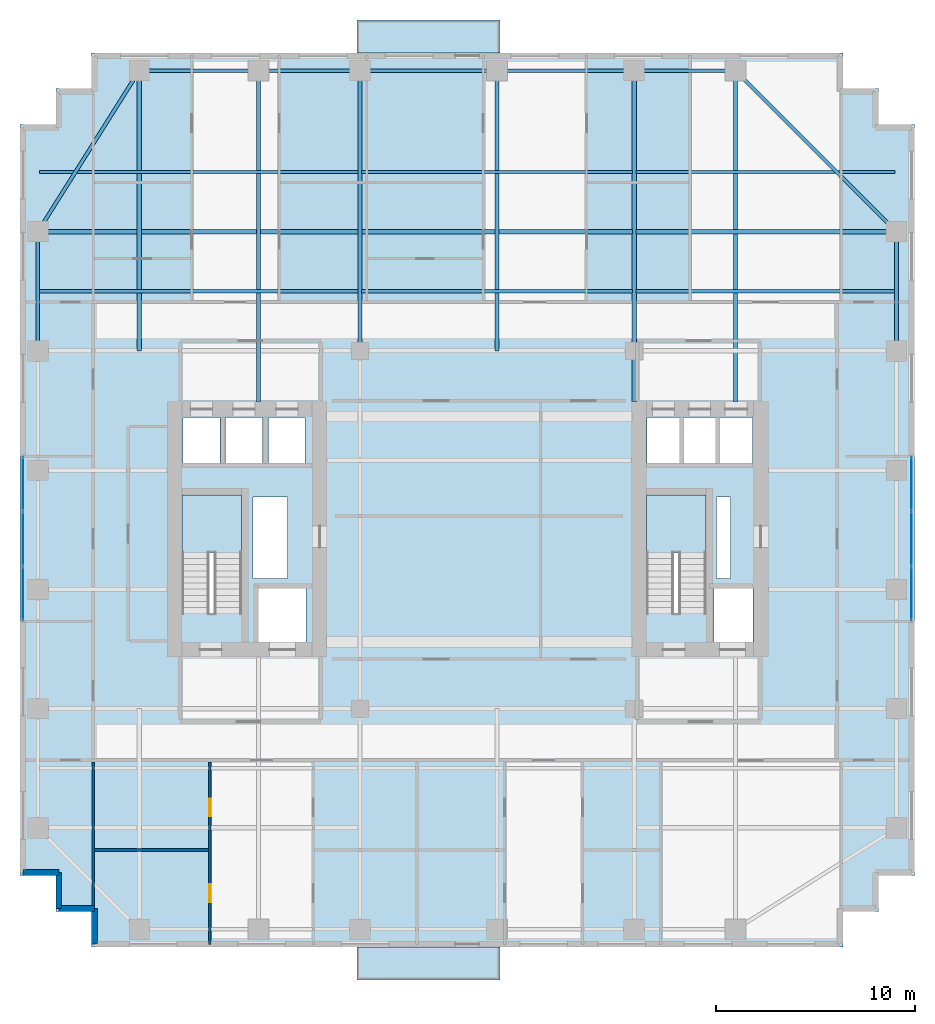
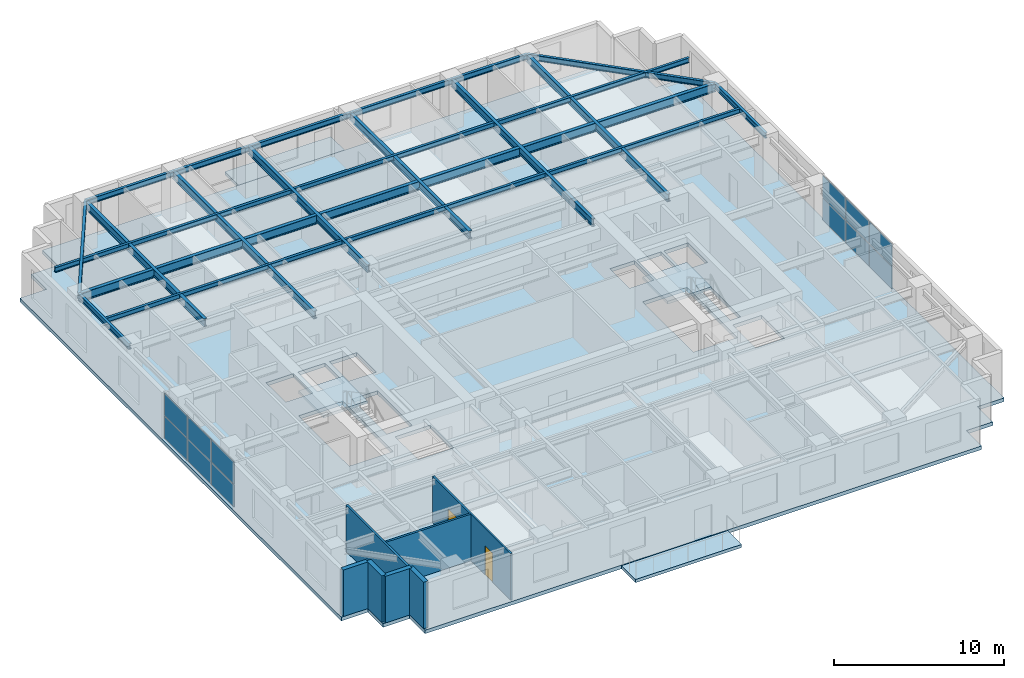
# One storey, part 7 of 16: 24 beams, 12 plates, 7 walls, 5 slabs, 2 doors, 2 openings, 4 elements without a shape of their own.
"""IFC4 building model written with IfcOpenShell, lengths in metres."""

import ifcopenshell
import ifcopenshell.guid

model = None  # the IFC model being written
_history = None  # IfcOwnerHistory: only IFC2X3 demands one
_inside = {}  # id of a spatial element -> (the spatial element, [elements in it])
_under = {}  # id of a project, library or spatial element -> (it, [spatial elements below it])
_declared = {}  # id of a project -> (the project, [libraries it declares])
_typed = {}  # id of a type object -> (the type object, [elements of that type])
_made_of = {}  # id of a material, layer set ... -> (it, [elements and type objects made of it])


def new_model(schema):
    """Start an empty IFC model of exactly this schema.

    Asked for "IFC4X3", IfcOpenShell would pick the latest addendum, in which some entities
    have other attributes; the version numbers below select the first issue.
    IFC2X3 requires an IfcOwnerHistory on every rooted entity: one is made here for all.
    """
    global model, _history
    if schema == "IFC4X3":
        model = ifcopenshell.file(schema_version=(4, 3, 0, 0))
    else:
        model = ifcopenshell.file(schema=schema)
    _inside.clear()
    _under.clear()
    _declared.clear()
    _typed.clear()
    _made_of.clear()
    _history = None
    if model.schema == "IFC2X3":
        org = make("IfcOrganization", Name="unknown")
        user = make(
            "IfcPersonAndOrganization",
            ThePerson=make("IfcPerson", FamilyName="unknown"),
            TheOrganization=org,
        )
        app = make(
            "IfcApplication",
            ApplicationDeveloper=org,
            Version="unknown",
            ApplicationFullName="unknown",
            ApplicationIdentifier="unknown",
        )
        _history = make(
            "IfcOwnerHistory",
            OwningUser=user,
            OwningApplication=app,
            ChangeAction="ADDED",
            CreationDate=0,
        )
    return model


def make(cls, **values):
    """One entity of the class cls with the attributes given. An attribute that is None is left unset."""
    return model.create_entity(
        cls, **{name: value for name, value in values.items() if value is not None}
    )


def rooted(cls, **values):
    """An entity with a GlobalId (a new one), such as an element, a storey or a relation."""
    return make(cls, GlobalId=ifcopenshell.guid.new(), OwnerHistory=_history, **values)


def si_unit(unit_type, name, prefix=None):
    """IfcSIUnit, for example si_unit("LENGTHUNIT", "METRE", prefix="MILLI")."""
    return make("IfcSIUnit", UnitType=unit_type, Prefix=prefix, Name=name)


def assignment(units):
    """IfcUnitAssignment: the units of a project."""
    return None if units is None else make("IfcUnitAssignment", Units=units)


def point(xyz):
    """IfcCartesianPoint."""
    return None if xyz is None else make("IfcCartesianPoint", Coordinates=xyz)


def direction(xyz):
    """IfcDirection."""
    return None if xyz is None else make("IfcDirection", DirectionRatios=xyz)


def frame(location, z_axis=None, x_axis=None):
    """IfcAxis2Placement3D, a coordinate frame: its origin and axes. An axis left out is left unset."""
    return make(
        "IfcAxis2Placement3D",
        Location=point(location),
        Axis=direction(z_axis),
        RefDirection=direction(x_axis),
    )


def frame_2d(location, x_axis=None):
    """IfcAxis2Placement2D, a coordinate frame in the plane: its origin and x axis."""
    return make(
        "IfcAxis2Placement2D", Location=point(location), RefDirection=direction(x_axis)
    )


def origin():
    """The frame at (0, 0, 0) with its axes left unset."""
    return frame((0.0, 0.0, 0.0))


def origin_2d():
    """The frame at (0, 0) in the plane with its x axis left unset."""
    return frame_2d((0.0, 0.0))


def place(relative_to, where):
    """IfcLocalPlacement: puts the frame where relative to a parent placement (None: the world)."""
    return make(
        "IfcLocalPlacement", PlacementRelTo=relative_to, RelativePlacement=where
    )


def context(
    kind, dimensions, precision=None, world=None, true_north=None, identifier=None
):
    """IfcGeometricRepresentationContext, for example the 3D "Model" context."""
    return make(
        "IfcGeometricRepresentationContext",
        ContextIdentifier=identifier,
        ContextType=kind,
        CoordinateSpaceDimension=dimensions,
        Precision=precision,
        WorldCoordinateSystem=world,
        TrueNorth=true_north,
    )


def subcontext(parent, identifier, kind, view, scale=None):
    """IfcGeometricRepresentationSubContext, for example "Body" below "Model"."""
    return make(
        "IfcGeometricRepresentationSubContext",
        ContextIdentifier=identifier,
        ContextType=kind,
        ParentContext=parent,
        TargetScale=scale,
        TargetView=view,
    )


def project(units=None, contexts=None):
    """IfcProject with its units and contexts."""
    return rooted(
        "IfcProject",
        Name="project",
        RepresentationContexts=contexts,
        UnitsInContext=assignment(units),
    )


def spatial(cls, under=None, at=None, **own):
    """A site, building, storey or space (cls), placed at a placement, below another one or the project."""
    s = rooted(cls, ObjectPlacement=at, **own)
    if under is not None:
        _under.setdefault(under.id(), (under, []))[1].append(s)
    return s


def polyline(points):
    """IfcPolyline through the points."""
    return make("IfcPolyline", Points=[point(p) for p in points])


def profile(cls, at=None, kind="AREA", **sizes):
    """A parametric profile (cls). Its sizes go by their IFC names, for example OverallWidth=200.0."""
    return make(cls, ProfileType=kind, Position=at, **sizes)


def rectangle(**sizes):
    """IfcRectangleProfileDef."""
    return profile("IfcRectangleProfileDef", **sizes)


def i_section(**sizes):
    """IfcIShapeProfileDef."""
    return profile("IfcIShapeProfileDef", **sizes)


def outline(outer, holes=None, kind="AREA"):
    """IfcArbitraryClosedProfileDef: a profile drawn as a closed curve; with holes, ...WithVoids."""
    if holes is None:
        return make("IfcArbitraryClosedProfileDef", ProfileType=kind, OuterCurve=outer)
    return make(
        "IfcArbitraryProfileDefWithVoids",
        ProfileType=kind,
        OuterCurve=outer,
        InnerCurves=holes,
    )


def extrude(swept, where, along, depth):
    """IfcExtrudedAreaSolid: the profile swept, set in the frame where, extruded along a direction by depth."""
    return make(
        "IfcExtrudedAreaSolid",
        SweptArea=swept,
        Position=where,
        ExtrudedDirection=direction(along),
        Depth=depth,
    )


def shape(context_of_items, identifier, shape_type, items):
    """IfcShapeRepresentation: the items that make up one representation, for example the "Body"."""
    return make(
        "IfcShapeRepresentation",
        ContextOfItems=context_of_items,
        RepresentationIdentifier=identifier,
        RepresentationType=shape_type,
        Items=items,
    )


def source(mapping_origin, context_of_items, identifier, shape_type, items):
    """IfcRepresentationMap: a shape defined once, which mapped items show again and again."""
    return make(
        "IfcRepresentationMap",
        MappingOrigin=mapping_origin,
        MappedRepresentation=shape(context_of_items, identifier, shape_type, items),
    )


def transform(
    local_origin,
    x_axis=None,
    y_axis=None,
    z_axis=None,
    scale=None,
    scale2=None,
    scale3=None,
    uniform=True,
):
    """IfcCartesianTransformationOperator3D, or its non-uniform kind. x_axis, y_axis, z_axis: its Axis1, 2, 3."""
    if uniform:
        return make(
            "IfcCartesianTransformationOperator3D",
            Axis1=direction(x_axis),
            Axis2=direction(y_axis),
            LocalOrigin=point(local_origin),
            Scale=scale,
            Axis3=direction(z_axis),
        )
    return make(
        "IfcCartesianTransformationOperator3DnonUniform",
        Axis1=direction(x_axis),
        Axis2=direction(y_axis),
        LocalOrigin=point(local_origin),
        Scale=scale,
        Axis3=direction(z_axis),
        Scale2=scale2,
        Scale3=scale3,
    )


def mapped(mapping_source, mapping_target):
    """IfcMappedItem: shows the shape of a source again, moved by a transform."""
    return make(
        "IfcMappedItem", MappingSource=mapping_source, MappingTarget=mapping_target
    )


def material(Name=None, Category=None):
    """IfcMaterial."""
    return make("IfcMaterial", Name=Name, Category=Category)


def layer(
    of_material, thickness, ventilated=None, Name=None, Category=None, Priority=None
):
    """IfcMaterialLayer: one layer of a wall or slab, of a material (None: an air gap)."""
    return make(
        "IfcMaterialLayer",
        Material=of_material,
        LayerThickness=thickness,
        IsVentilated=ventilated,
        Name=Name,
        Category=Category,
        Priority=Priority,
    )


def layer_set(layers, Name=None):
    """IfcMaterialLayerSet."""
    return make("IfcMaterialLayerSet", MaterialLayers=layers, LayerSetName=Name)


def material_profile(
    of_material, cross_section, Name=None, Category=None, Priority=None
):
    """IfcMaterialProfile: a cross section and its material."""
    return make(
        "IfcMaterialProfile",
        Name=Name,
        Material=of_material,
        Profile=cross_section,
        Priority=Priority,
        Category=Category,
    )


def profile_set(profiles, Name=None, composite=None):
    """IfcMaterialProfileSet."""
    return make(
        "IfcMaterialProfileSet",
        Name=Name,
        MaterialProfiles=profiles,
        CompositeProfile=composite,
    )


def made_of(thing, what):
    """Note that an element or type object is made of a material, layer set ...; save() writes the relation."""
    if what is not None:
        _made_of.setdefault(what.id(), (what, []))[1].append(thing)
    return thing


def type_object(cls, material=None, **own):
    """A type object (cls), such as IfcWallType, which elements share."""
    return made_of(rooted(cls, **own), material)


def element(
    cls,
    number,
    at=None,
    inside=None,
    cuts=None,
    type_object=None,
    material=None,
    context=None,
    identifier="Body",
    shape_type=None,
    held_by="IfcProductDefinitionShape",
    body=None,
    shapes=None,
    **own,
):
    """One element of the class cls, such as IfcWall. Its Tag is "e" and its number.

    at: its placement. inside: the storey or other place that contains it. cuts: it is an
    opening in that element (IfcRelVoidsElement). A single representation is given by context,
    identifier, shape_type and body (its items); several are given by shapes. held_by: the class
    of the entity that holds the representations. save() writes the other relations.
    """
    e = rooted(cls, Tag="e%d" % number, ObjectPlacement=at, **own)
    if body is not None:
        shapes = [shape(context, identifier, shape_type, body)]
    if shapes is not None:
        e.Representation = make(held_by, Representations=shapes)
    if inside is not None:
        _inside.setdefault(inside.id(), (inside, []))[1].append(e)
    if cuts is not None:
        rooted(
            "IfcRelVoidsElement", RelatingBuildingElement=cuts, RelatedOpeningElement=e
        )
    if type_object is not None:
        _typed.setdefault(type_object.id(), (type_object, []))[1].append(e)
    return made_of(e, material)


def fill(opening, filler):
    """IfcRelFillsElement: the door or window that sits in an opening."""
    return rooted(
        "IfcRelFillsElement",
        RelatingOpeningElement=opening,
        RelatedBuildingElement=filler,
    )


def aggregate(whole, parts):
    """IfcRelAggregates: a whole, such as a stair, and the parts it consists of."""
    return rooted("IfcRelAggregates", RelatingObject=whole, RelatedObjects=parts)


def save(model, path):
    """Write the relations noted so far, then the file.

    IfcRelAggregates (storeys below a building ...), IfcRelContainedInSpatialStructure (elements
    in a storey), IfcRelDefinesByType, IfcRelAssociatesMaterial and IfcRelDeclares: one each for
    every whole, place, type object, material and project.
    """
    for whole, parts in _under.values():
        aggregate(whole, parts)
    for where, things in _inside.values():
        rooted(
            "IfcRelContainedInSpatialStructure",
            RelatedElements=things,
            RelatingStructure=where,
        )
    for kind, things in _typed.values():
        rooted("IfcRelDefinesByType", RelatedObjects=things, RelatingType=kind)
    for what, things in _made_of.values():
        rooted("IfcRelAssociatesMaterial", RelatedObjects=things, RelatingMaterial=what)
    for by, libraries in _declared.values():
        rooted("IfcRelDeclares", RelatingContext=by, RelatedDefinitions=libraries)
    model.write(path)


model = new_model("IFC4")

# Units and contexts
model_context = context("Model", 3, precision=1e-05, world=origin(), true_north=direction((0.0, 1.0)))
body_context = subcontext(model_context, "Body", "Model", "MODEL_VIEW")
ifc_project = project(units=[si_unit("LENGTHUNIT", "METRE"), si_unit("AREAUNIT", "SQUARE_METRE"), si_unit("VOLUMEUNIT", "CUBIC_METRE"), si_unit("PLANEANGLEUNIT", "RADIAN"), si_unit("MASSUNIT", "GRAM", prefix="KILO")], contexts=[model_context])

# Site, building, storey
site_placement = place(None, origin())
site = spatial("IfcSite", under=ifc_project, at=site_placement, CompositionType="ELEMENT")
building_placement = place(site_placement, origin())
building = spatial("IfcBuilding", under=site, at=building_placement, Name="Khoralis Quay Care Tower", CompositionType="ELEMENT")
storey_placement = place(building_placement, frame((0.0, 0.0, 137.699951171875)))
storey = spatial("IfcBuildingStorey", under=building, at=storey_placement, Name="L36", CompositionType="ELEMENT", Elevation=137.699951171875)

# Beams
ifc_material_1 = material(Name="Steel S355", Category="steel")
ifc_material_profile_1 = material_profile(ifc_material_1, i_section(OverallWidth=0.179931640625, OverallDepth=0.39990234375, WebThickness=0.008544921875, FlangeThickness=0.013427734375, FilletRadius=0.02099609375, at=origin_2d()), Name="Steel S355")
ifc_profile_set_1 = profile_set([ifc_material_profile_1], Name="Steel S355")
beam_type_1 = type_object("IfcBeamType", Name="BM-IPE400", PredefinedType="SPANDREL", material=ifc_profile_set_1)
shared_shape_1 = source(origin(), body_context, "Body", "SweptSolid", [
    extrude(i_section(OverallWidth=0.179931640625, OverallDepth=0.39990234375, WebThickness=0.008544921875, FlangeThickness=0.013427734375, FilletRadius=0.02099609375, at=origin_2d()), origin(), (0.0, 0.0, 1.0), 6.0),
])
for number, where, z_axis, x_axis, name in (
    (1, (6.0, 44.10009765625, 3.14013671875), (1.0, 0.0, 0.0), (0.0, 1.0, 0.0), "BM-TSP-L36-06"),
    (2, (0.89990234375, 30.0, 3.14013671875), (0.0, 1.0, 0.0), (-1.0, 0.0, 0.0), "BM-TSP-L36-15"),
    (3, (44.10009765625, 30.0, 3.14013671875), (0.0, 1.0, 0.0), (-1.0, 0.0, 0.0), "BM-TSP-L36-20"),
):
    element("IfcBeam", number, at=place(storey_placement, frame(where, z_axis=z_axis, x_axis=x_axis)), inside=storey, type_object=beam_type_1, Name=name, PredefinedType="SPANDREL", context=body_context, shape_type="MappedRepresentation", body=[
        mapped(shared_shape_1, transform((0.0, 0.0, 0.0), scale=1.0)),
    ])
shared_shape_2 = source(origin(), body_context, "Body", "SweptSolid", [
    extrude(i_section(OverallWidth=0.179931640625, OverallDepth=0.39990234375, WebThickness=0.008544921875, FlangeThickness=0.013427734375, FilletRadius=0.02099609375, at=origin_2d()), origin(), (0.0, 0.0, 1.0), 5.10009765625),
])
for number, where, z_axis, x_axis, name in (
    (4, (12.0, 44.10009765625, 3.14013671875), (1.0, 0.0, 0.0), (0.0, 1.0, 0.0), "BM-TSP-L36-07"),
    (5, (30.89990234375, 44.10009765625, 3.14013671875), (1.0, 0.0, 0.0), (0.0, 1.0, 0.0), "BM-TSP-L36-10"),
):
    element("IfcBeam", number, at=place(storey_placement, frame(where, z_axis=z_axis, x_axis=x_axis)), inside=storey, type_object=beam_type_1, Name=name, PredefinedType="SPANDREL", context=body_context, shape_type="MappedRepresentation", body=[
        mapped(shared_shape_2, transform((0.0, 0.0, 0.0), scale=1.0)),
    ])
shared_shape_3 = source(origin(), body_context, "Body", "SweptSolid", [
    extrude(i_section(OverallWidth=0.179931640625, OverallDepth=0.39990234375, WebThickness=0.008544921875, FlangeThickness=0.013427734375, FilletRadius=0.02099609375, at=origin_2d()), origin(), (0.0, 0.0, 1.0), 6.89990234375),
])
for number, where, z_axis, x_axis, name in (
    (6, (17.10009765625, 44.10009765625, 3.14013671875), (1.0, 0.0, 0.0), (0.0, 1.0, 0.0), "BM-TSP-L36-08"),
    (7, (24.0, 44.10009765625, 3.14013671875), (1.0, 0.0, 0.0), (0.0, 1.0, 0.0), "BM-TSP-L36-09"),
):
    element("IfcBeam", number, at=place(storey_placement, frame(where, z_axis=z_axis, x_axis=x_axis)), inside=storey, type_object=beam_type_1, Name=name, PredefinedType="SPANDREL", context=body_context, shape_type="MappedRepresentation", body=[
        mapped(shared_shape_3, transform((0.0, 0.0, 0.0), scale=1.0)),
    ])
shared_shape_4 = source(origin(), body_context, "Body", "SweptSolid", [
    extrude(i_section(OverallWidth=0.179931640625, OverallDepth=0.39990234375, WebThickness=0.008544921875, FlangeThickness=0.013427734375, FilletRadius=0.02099609375, at=origin_2d()), origin(), (0.0, 0.0, 1.0), 9.572021484375),
])
beam_1_placement = place(storey_placement, frame((6.0, 44.10009765625, 3.14013671875), z_axis=(-0.532815975602, -0.846231136359, 0.0), x_axis=(0.846231136359, -0.532815975602, 0.0)))
element("IfcBeam", 8, at=beam_1_placement, inside=storey, type_object=beam_type_1, Name="BM-TCR-L36-23", PredefinedType="SPANDREL", context=body_context, shape_type="MappedRepresentation", body=[
    mapped(shared_shape_4, transform((0.0, 0.0, 0.0), scale=1.0)),
])
shared_shape_5 = source(origin(), body_context, "Body", "SweptSolid", [
    extrude(i_section(OverallWidth=0.179931640625, OverallDepth=0.39990234375, WebThickness=0.008544921875, FlangeThickness=0.013427734375, FilletRadius=0.02099609375, at=origin_2d()), origin(), (0.0, 0.0, 1.0), 11.455322265625),
])
beam_2_placement = place(storey_placement, frame((36.0, 44.10009765625, 3.14013671875), z_axis=(0.707106781187, -0.707106781187, 0.0), x_axis=(0.707106781187, 0.707106781187, 0.0)))
element("IfcBeam", 9, at=beam_2_placement, inside=storey, type_object=beam_type_1, Name="BM-TCR-L36-24", PredefinedType="SPANDREL", context=body_context, shape_type="MappedRepresentation", body=[
    mapped(shared_shape_5, transform((0.0, 0.0, 0.0), scale=1.0)),
])
ifc_material_profile_2 = material_profile(ifc_material_1, i_section(OverallWidth=0.22998046875, OverallDepth=0.616943359375, WebThickness=0.01318359375, FlangeThickness=0.022216796875, FilletRadius=0.01806640625, at=origin_2d()), Name="Steel S355")
ifc_profile_set_2 = profile_set([ifc_material_profile_2], Name="Steel S355")
beam_type_2 = type_object("IfcBeamType", Name="BM-W610X140", PredefinedType="BEAM", material=ifc_profile_set_2)
shared_shape_6 = source(origin(), body_context, "Body", "SweptSolid", [
    extrude(i_section(OverallWidth=0.22998046875, OverallDepth=0.616943359375, WebThickness=0.01318359375, FlangeThickness=0.022216796875, FilletRadius=0.01806640625, at=origin_2d()), origin(), (0.0, 0.0, 1.0), 16.106201171875),
])
beam_3_placement = place(storey_placement, frame((0.89990234375, 36.0, 3.031494140625), z_axis=(1.0, 0.0, 0.0), x_axis=(0.0, 1.0, 0.0)))
element("IfcBeam", 10, at=beam_3_placement, inside=storey, type_object=beam_type_2, Name="BM-TGXW-L36-360", PredefinedType="BEAM", context=body_context, shape_type="MappedRepresentation", body=[
    mapped(shared_shape_6, transform((0.0, 0.0, 0.0), scale=1.0)),
])
shared_shape_7 = source(origin(), body_context, "Body", "SweptSolid", [
    extrude(i_section(OverallWidth=0.22998046875, OverallDepth=0.616943359375, WebThickness=0.01318359375, FlangeThickness=0.022216796875, FilletRadius=0.01806640625, at=origin_2d()), origin(), (0.0, 0.0, 1.0), 13.106201171875),
])
beam_4_placement = place(storey_placement, frame((30.993896484375, 36.0, 3.031494140625), z_axis=(1.0, 0.0, 0.0), x_axis=(0.0, 1.0, 0.0)))
element("IfcBeam", 11, at=beam_4_placement, inside=storey, type_object=beam_type_2, Name="BM-TGXE-L36-360", PredefinedType="BEAM", context=body_context, shape_type="MappedRepresentation", body=[
    mapped(shared_shape_7, transform((0.0, 0.0, 0.0), scale=1.0)),
])
shared_shape_8 = source(origin(), body_context, "Body", "SweptSolid", [
    extrude(i_section(OverallWidth=0.22998046875, OverallDepth=0.616943359375, WebThickness=0.01318359375, FlangeThickness=0.022216796875, FilletRadius=0.01806640625, at=origin_2d()), origin(), (0.0, 0.0, 1.0), 13.61181640625),
])
beam_5_placement = place(storey_placement, frame((17.194091796875, 36.0, 3.031494140625), z_axis=(1.0, 0.0, 0.0), x_axis=(0.0, 1.0, 0.0)))
element("IfcBeam", 12, at=beam_5_placement, inside=storey, type_object=beam_type_2, Name="BM-TGCC-L36-360", PredefinedType="BEAM", context=body_context, shape_type="MappedRepresentation", body=[
    mapped(shared_shape_8, transform((0.0, 0.0, 0.0), scale=1.0)),
])
ifc_material_profile_3 = material_profile(ifc_material_1, i_section(OverallWidth=0.2119140625, OverallDepth=0.5439453125, WebThickness=0.01318359375, FlangeThickness=0.021240234375, FilletRadius=0.01611328125, at=origin_2d()), Name="Steel S355")
ifc_profile_set_3 = profile_set([ifc_material_profile_3], Name="Steel S355")
beam_type_3 = type_object("IfcBeamType", Name="BM-W530X123", PredefinedType="BEAM", material=ifc_profile_set_3)
shared_shape_9 = source(origin(), body_context, "Body", "SweptSolid", [
    extrude(i_section(OverallWidth=0.2119140625, OverallDepth=0.5439453125, WebThickness=0.01318359375, FlangeThickness=0.021240234375, FilletRadius=0.01611328125, at=origin_2d()), origin(), (0.0, 0.0, 1.0), 14.10009765625),
])
for number, where, z_axis, x_axis, name in (
    (13, (6.0, 30.0, 3.068115234375), (0.0, 1.0, 0.0), (-1.0, 0.0, 0.0), "BM-TGYN-L36-60"),
    (14, (17.10009765625, 30.0, 3.068115234375), (0.0, 1.0, 0.0), (-1.0, 0.0, 0.0), "BM-TGYN-L36-171"),
    (15, (24.0, 30.0, 3.068115234375), (0.0, 1.0, 0.0), (-1.0, 0.0, 0.0), "BM-TGYN-L36-240"),
):
    element("IfcBeam", number, at=place(storey_placement, frame(where, z_axis=z_axis, x_axis=x_axis)), inside=storey, type_object=beam_type_3, Name=name, PredefinedType="BEAM", context=body_context, shape_type="MappedRepresentation", body=[
        mapped(shared_shape_9, transform((0.0, 0.0, 0.0), scale=1.0)),
    ])
shared_shape_10 = source(origin(), body_context, "Body", "SweptSolid", [
    extrude(i_section(OverallWidth=0.2119140625, OverallDepth=0.5439453125, WebThickness=0.01318359375, FlangeThickness=0.021240234375, FilletRadius=0.01611328125, at=origin_2d()), origin(), (0.0, 0.0, 1.0), 16.652099609375),
])
for number, where, z_axis, x_axis, name in (
    (16, (12.0, 27.447998046875, 3.068115234375), (0.0, 1.0, 0.0), (-1.0, 0.0, 0.0), "BM-TGYN-L36-120"),
    (17, (30.89990234375, 27.447998046875, 3.068115234375), (0.0, 1.0, 0.0), (-1.0, 0.0, 0.0), "BM-TGYN-L36-309"),
    (18, (36.0, 27.447998046875, 3.068115234375), (0.0, 1.0, 0.0), (-1.0, 0.0, 0.0), "BM-TGYN-L36-360"),
):
    element("IfcBeam", number, at=place(storey_placement, frame(where, z_axis=z_axis, x_axis=x_axis)), inside=storey, type_object=beam_type_3, Name=name, PredefinedType="BEAM", context=body_context, shape_type="MappedRepresentation", body=[
        mapped(shared_shape_10, transform((0.0, 0.0, 0.0), scale=1.0)),
    ])
ifc_material_profile_4 = material_profile(ifc_material_1, i_section(OverallWidth=0.1708984375, OverallDepth=0.35498046875, WebThickness=0.007080078125, FlangeThickness=0.01171875, FilletRadius=0.012939453125, at=origin_2d()), Name="Steel S355")
ifc_profile_set_4 = profile_set([ifc_material_profile_4], Name="Steel S355")
beam_type_4 = type_object("IfcBeamType", Name="BM-W360X51", PredefinedType="JOIST", material=ifc_profile_set_4)
shared_shape_11 = source(origin(), body_context, "Body", "SweptSolid", [
    extrude(i_section(OverallWidth=0.1708984375, OverallDepth=0.35498046875, WebThickness=0.007080078125, FlangeThickness=0.01171875, FilletRadius=0.012939453125, at=origin_2d()), origin(), (0.0, 0.0, 1.0), 16.030029296875),
])
for number, where, z_axis, x_axis, name in (
    (19, (0.97607421875, 33.0, 3.16259765625), (1.0, 0.0, 0.0), (0.0, 1.0, 0.0), "BM-TJS-L36-28"),
    (20, (0.97607421875, 39.0, 3.16259765625), (1.0, 0.0, 0.0), (0.0, 1.0, 0.0), "BM-TJS-L36-31"),
):
    element("IfcBeam", number, at=place(storey_placement, frame(where, z_axis=z_axis, x_axis=x_axis)), inside=storey, type_object=beam_type_4, Name=name, PredefinedType="JOIST", context=body_context, shape_type="MappedRepresentation", body=[
        mapped(shared_shape_11, transform((0.0, 0.0, 0.0), scale=1.0)),
    ])
shared_shape_12 = source(origin(), body_context, "Body", "SweptSolid", [
    extrude(i_section(OverallWidth=0.1708984375, OverallDepth=0.35498046875, WebThickness=0.007080078125, FlangeThickness=0.01171875, FilletRadius=0.012939453125, at=origin_2d()), origin(), (0.0, 0.0, 1.0), 13.030029296875),
])
for number, where, z_axis, x_axis, name in (
    (21, (30.993896484375, 33.0, 3.16259765625), (1.0, 0.0, 0.0), (0.0, 1.0, 0.0), "BM-TJS-L36-29"),
    (22, (30.993896484375, 39.0, 3.16259765625), (1.0, 0.0, 0.0), (0.0, 1.0, 0.0), "BM-TJS-L36-32"),
):
    element("IfcBeam", number, at=place(storey_placement, frame(where, z_axis=z_axis, x_axis=x_axis)), inside=storey, type_object=beam_type_4, Name=name, PredefinedType="JOIST", context=body_context, shape_type="MappedRepresentation", body=[
        mapped(shared_shape_12, transform((0.0, 0.0, 0.0), scale=1.0)),
    ])
shared_shape_13 = source(origin(), body_context, "Body", "SweptSolid", [
    extrude(i_section(OverallWidth=0.1708984375, OverallDepth=0.35498046875, WebThickness=0.007080078125, FlangeThickness=0.01171875, FilletRadius=0.012939453125, at=origin_2d()), origin(), (0.0, 0.0, 1.0), 13.61181640625),
])
for number, where, z_axis, x_axis, name in (
    (23, (17.194091796875, 33.0, 3.16259765625), (1.0, 0.0, 0.0), (0.0, 1.0, 0.0), "BM-TJS-L36-30"),
    (24, (17.194091796875, 39.0, 3.16259765625), (1.0, 0.0, 0.0), (0.0, 1.0, 0.0), "BM-TJS-L36-33"),
):
    element("IfcBeam", number, at=place(storey_placement, frame(where, z_axis=z_axis, x_axis=x_axis)), inside=storey, type_object=beam_type_4, Name=name, PredefinedType="JOIST", context=body_context, shape_type="MappedRepresentation", body=[
        mapped(shared_shape_13, transform((0.0, 0.0, 0.0), scale=1.0)),
    ])

# Slabs
ifc_material_2 = material(Name="Concrete C45/55", Category="concrete")
ifc_layer_1 = layer(ifc_material_2, 0.219970703125)
ifc_layer_set_1 = layer_set([ifc_layer_1], Name="Concrete C45/55")
slab_type_1 = type_object("IfcSlabType", Name="SLB-EXT-BALC-220", PredefinedType="FLOOR", material=ifc_layer_set_1)
slab_1_placement = place(storey_placement, frame((0.0, 0.0, -0.260009765625)))
element("IfcSlab", 25, at=slab_1_placement, inside=storey, type_object=slab_type_1, Name="L36 Senior Loggia Balcony Slab P1E0", PredefinedType="FLOOR", context=body_context, shape_type="SweptSolid", body=[
    extrude(outline(polyline([(16.949951171875, -1.64990234375), (24.14990234375, -1.64990234375), (24.14990234375, 0.0), (16.949951171875, 0.0), (16.949951171875, -1.64990234375)])), origin(), (0.0, 0.0, 1.0), 0.219970703125),
])
slab_2_placement = place(storey_placement, frame((0.0, 0.0, -0.260009765625)))
element("IfcSlab", 26, at=slab_2_placement, inside=storey, type_object=slab_type_1, Name="L36 Senior Loggia Balcony Slab P1E10", PredefinedType="FLOOR", context=body_context, shape_type="SweptSolid", body=[
    extrude(outline(polyline([(16.949951171875, 45.0), (24.14990234375, 45.0), (24.14990234375, 46.64990234375), (16.949951171875, 46.64990234375), (16.949951171875, 45.0)])), origin(), (0.0, 0.0, 1.0), 0.219970703125),
])

# Stair, slab
ifc_material_3 = material(Name="Precast concrete C45/55", Category="concrete")
stair_type = type_object("IfcStairType", Name="ST-TWR-DOGLEG-1400", PredefinedType="HALF_TURN_STAIR", material=ifc_material_3)
stair_1_placement = place(storey_placement, origin())
stair_1 = element("IfcStair", 27, at=stair_1_placement, inside=storey, type_object=stair_type, Name="L36 West Core Exit Stair ST-T1", PredefinedType="HALF_TURN_STAIR")
ifc_layer_2 = layer(ifc_material_3, 0.199951171875)
ifc_layer_set_2 = layer_set([ifc_layer_2], Name="Precast concrete C45/55")
slab_type_2 = type_object("IfcSlabType", Name="SLB-LANDING-200", PredefinedType="LANDING", material=ifc_layer_set_2)
slab_3_placement = place(storey_placement, frame((0.0, 0.0, 1.60009765625)))
slab_3 = element("IfcSlab", 28, at=slab_3_placement, type_object=slab_type_2, Name="ST-T1 landing 1", PredefinedType="LANDING", context=body_context, shape_type="SweptSolid", body=[
    extrude(outline(polyline([(11.14990234375, 19.840087890625), (11.14990234375, 22.75), (8.14990234375, 22.75), (8.14990234375, 19.840087890625), (11.14990234375, 19.840087890625)])), origin(), (0.0, 0.0, 1.0), 0.199951171875),
])
aggregate(stair_1, [slab_3])

stair_2_placement = place(storey_placement, origin())
stair_2 = element("IfcStair", 29, at=stair_2_placement, inside=storey, type_object=stair_type, Name="L36 East Core Exit Stair ST-T2", PredefinedType="HALF_TURN_STAIR")
slab_4_placement = place(storey_placement, frame((0.0, 0.0, 1.60009765625)))
slab_4 = element("IfcSlab", 30, at=slab_4_placement, type_object=slab_type_2, Name="ST-T2 landing 1", PredefinedType="LANDING", context=body_context, shape_type="SweptSolid", body=[
    extrude(outline(polyline([(34.52001953125, 19.840087890625), (34.52001953125, 22.75), (31.52001953125, 22.75), (31.52001953125, 19.840087890625), (34.52001953125, 19.840087890625)])), origin(), (0.0, 0.0, 1.0), 0.199951171875),
])
aggregate(stair_2, [slab_4])

# Slab
ifc_material_4 = material(Name="Concrete C40/50", Category="concrete")
ifc_layer_3 = layer(ifc_material_4, 0.260009765625)
ifc_layer_set_3 = layer_set([ifc_layer_3], Name="Concrete C40/50")
slab_type_3 = type_object("IfcSlabType", Name="SLB-TWR-260", PredefinedType="FLOOR", material=ifc_layer_set_3)
slab_5_placement = place(storey_placement, frame((0.0, 0.0, -0.260009765625)))
element("IfcSlab", 31, at=slab_5_placement, inside=storey, type_object=slab_type_3, Name="Tower Floor Slab L36", PredefinedType="FLOOR", context=body_context, shape_type="SweptSolid", body=[
    extrude(outline(polyline([(3.60009765625, 0.0), (41.39990234375, 0.0), (41.39990234375, 1.800048828125), (43.199951171875, 1.800048828125), (43.199951171875, 3.60009765625), (45.0, 3.60009765625), (45.0, 41.39990234375), (43.199951171875, 41.39990234375), (43.199951171875, 43.199951171875), (41.39990234375, 43.199951171875), (41.39990234375, 45.0), (3.60009765625, 45.0), (3.60009765625, 43.199951171875), (1.800048828125, 43.199951171875), (1.800048828125, 41.39990234375), (0.0, 41.39990234375), (0.0, 3.60009765625), (1.800048828125, 3.60009765625), (1.800048828125, 1.800048828125), (3.60009765625, 1.800048828125), (3.60009765625, 0.0)]), holes=[polyline([(11.14990234375, 16.800048828125), (11.14990234375, 22.75), (8.14990234375, 22.75), (8.14990234375, 16.800048828125), (11.14990234375, 16.800048828125)]), polyline([(34.52001953125, 16.800048828125), (34.52001953125, 22.75), (31.52001953125, 22.75), (31.52001953125, 16.800048828125), (34.52001953125, 16.800048828125)]), polyline([(12.0, 15.35009765625), (14.39990234375, 15.35009765625), (14.39990234375, 18.050048828125), (12.0, 18.050048828125), (12.0, 15.35009765625)]), polyline([(34.919921875, 15.35009765625), (36.8798828125, 15.35009765625), (36.8798828125, 18.050048828125), (34.919921875, 18.050048828125), (34.919921875, 15.35009765625)]), polyline([(8.199951171875, 24.35009765625), (10.050048828125, 24.35009765625), (10.050048828125, 26.64990234375), (8.199951171875, 26.64990234375), (8.199951171875, 24.35009765625)]), polyline([(31.550048828125, 24.35009765625), (33.199951171875, 24.35009765625), (33.199951171875, 26.64990234375), (31.550048828125, 26.64990234375), (31.550048828125, 24.35009765625)]), polyline([(10.35009765625, 24.35009765625), (12.199951171875, 24.35009765625), (12.199951171875, 26.64990234375), (10.35009765625, 26.64990234375), (10.35009765625, 24.35009765625)]), polyline([(33.3798828125, 24.35009765625), (35.030029296875, 24.35009765625), (35.030029296875, 26.64990234375), (33.3798828125, 26.64990234375), (33.3798828125, 24.35009765625)]), polyline([(12.5, 24.35009765625), (14.35009765625, 24.35009765625), (14.35009765625, 26.64990234375), (12.5, 26.64990234375), (12.5, 24.35009765625)]), polyline([(35.199951171875, 24.35009765625), (36.85009765625, 24.35009765625), (36.85009765625, 26.64990234375), (35.199951171875, 26.64990234375), (35.199951171875, 24.35009765625)]), polyline([(11.719970703125, 18.550048828125), (13.449951171875, 18.550048828125), (13.449951171875, 22.64990234375), (11.719970703125, 22.64990234375), (11.719970703125, 18.550048828125)]), polyline([(35.050048828125, 18.550048828125), (35.75, 18.550048828125), (35.75, 22.64990234375), (35.050048828125, 22.64990234375), (35.050048828125, 18.550048828125)])]), origin(), (0.0, 0.0, 1.0), 0.260009765625),
])

# Curtain wall, plates
ifc_material_5 = material(Name="Pale anodised aluminium", Category="aluminium")
ifc_layer_4 = layer(ifc_material_5, 0.169921875)
ifc_layer_set_4 = layer_set([ifc_layer_4], Name="Pale anodised aluminium")
curtain_wall_type = type_object("IfcCurtainWallType", Name="CW-SYS-Z2", PredefinedType="NOTDEFINED", material=ifc_layer_set_4)
curtain_wall_1_placement = place(storey_placement, origin())
curtain_wall_1 = element("IfcCurtainWall", 32, at=curtain_wall_1_placement, inside=storey, type_object=curtain_wall_type, Name="L36 Unitised Curtain Wall CW-L36-P1-E5", PredefinedType="NOTDEFINED")
ifc_material_6 = material(Name="Low-E solar-control double glazing", Category="glass")
ifc_layer_5 = layer(ifc_material_6, 0.031982421875)
ifc_layer_set_5 = layer_set([ifc_layer_5], Name="Low-E solar-control double glazing")
plate_type = type_object("IfcPlateType", Name="PNL-VIS-32", PredefinedType="CURTAIN_PANEL", material=ifc_layer_set_5)
shared_shape_14 = source(origin(), body_context, "Body", "SweptSolid", [
    extrude(rectangle(XDim=2.6767578125, YDim=0.028076171875, at=origin_2d()), origin(), (0.0, 0.0, 1.0), 1.580078125),
])
plate_1_placement = place(storey_placement, frame((44.85009765625, 17.79833984375, 0.06005859375), z_axis=(0.0, 0.0, 1.0), x_axis=(0.0, 1.0, 0.0)))
plate_1 = element("IfcPlate", 33, at=plate_1_placement, type_object=plate_type, Name="CW2 panel 1.1", PredefinedType="CURTAIN_PANEL", context=body_context, shape_type="MappedRepresentation", body=[
    mapped(shared_shape_14, transform((0.0, 0.0, 0.0), scale=1.0)),
])
plate_2_placement = place(storey_placement, frame((44.85009765625, 17.79833984375, 1.699951171875), z_axis=(0.0, 0.0, 1.0), x_axis=(0.0, 1.0, 0.0)))
plate_2 = element("IfcPlate", 34, at=plate_2_placement, type_object=plate_type, Name="CW2 panel 1.2", PredefinedType="CURTAIN_PANEL", context=body_context, shape_type="MappedRepresentation", body=[
    mapped(shared_shape_14, transform((0.0, 0.0, 0.0), scale=1.0)),
])
plate_3_placement = place(storey_placement, frame((44.85009765625, 23.3017578125, 0.06005859375), z_axis=(0.0, 0.0, 1.0), x_axis=(0.0, 1.0, 0.0)))
plate_3 = element("IfcPlate", 35, at=plate_3_placement, type_object=plate_type, Name="CW2 panel 3.1", PredefinedType="CURTAIN_PANEL", context=body_context, shape_type="MappedRepresentation", body=[
    mapped(shared_shape_14, transform((0.0, 0.0, 0.0), scale=1.0)),
])
plate_4_placement = place(storey_placement, frame((44.85009765625, 23.3017578125, 1.699951171875), z_axis=(0.0, 0.0, 1.0), x_axis=(0.0, 1.0, 0.0)))
plate_4 = element("IfcPlate", 36, at=plate_4_placement, type_object=plate_type, Name="CW2 panel 3.2", PredefinedType="CURTAIN_PANEL", context=body_context, shape_type="MappedRepresentation", body=[
    mapped(shared_shape_14, transform((0.0, 0.0, 0.0), scale=1.0)),
])

curtain_wall_2_placement = place(storey_placement, origin())
curtain_wall_2 = element("IfcCurtainWall", 37, at=curtain_wall_2_placement, inside=storey, type_object=curtain_wall_type, Name="L36 Unitised Curtain Wall CW-L36-P1-E15", PredefinedType="NOTDEFINED")
plate_5_placement = place(storey_placement, frame((0.14990234375, 23.3017578125, 0.06005859375), z_axis=(0.0, 0.0, 1.0), x_axis=(0.0, -1.0, 0.0)))
plate_5 = element("IfcPlate", 38, at=plate_5_placement, type_object=plate_type, Name="CW2 panel 1.1", PredefinedType="CURTAIN_PANEL", context=body_context, shape_type="MappedRepresentation", body=[
    mapped(shared_shape_14, transform((0.0, 0.0, 0.0), scale=1.0)),
])
plate_6_placement = place(storey_placement, frame((0.14990234375, 23.3017578125, 1.699951171875), z_axis=(0.0, 0.0, 1.0), x_axis=(0.0, -1.0, 0.0)))
plate_6 = element("IfcPlate", 39, at=plate_6_placement, type_object=plate_type, Name="CW2 panel 1.2", PredefinedType="CURTAIN_PANEL", context=body_context, shape_type="MappedRepresentation", body=[
    mapped(shared_shape_14, transform((0.0, 0.0, 0.0), scale=1.0)),
])
plate_7_placement = place(storey_placement, frame((0.14990234375, 17.79833984375, 0.06005859375), z_axis=(0.0, 0.0, 1.0), x_axis=(0.0, -1.0, 0.0)))
plate_7 = element("IfcPlate", 40, at=plate_7_placement, type_object=plate_type, Name="CW2 panel 3.1", PredefinedType="CURTAIN_PANEL", context=body_context, shape_type="MappedRepresentation", body=[
    mapped(shared_shape_14, transform((0.0, 0.0, 0.0), scale=1.0)),
])
plate_8_placement = place(storey_placement, frame((0.14990234375, 17.79833984375, 1.699951171875), z_axis=(0.0, 0.0, 1.0), x_axis=(0.0, -1.0, 0.0)))
plate_8 = element("IfcPlate", 41, at=plate_8_placement, type_object=plate_type, Name="CW2 panel 3.2", PredefinedType="CURTAIN_PANEL", context=body_context, shape_type="MappedRepresentation", body=[
    mapped(shared_shape_14, transform((0.0, 0.0, 0.0), scale=1.0)),
])

# Plate
shared_shape_15 = source(origin(), body_context, "Body", "SweptSolid", [
    extrude(rectangle(XDim=2.706787109375, YDim=0.028076171875, at=origin_2d()), origin(), (0.0, 0.0, 1.0), 1.580078125),
])
plate_9_placement = place(storey_placement, frame((44.85009765625, 20.550048828125, 0.06005859375), z_axis=(0.0, 0.0, 1.0), x_axis=(0.0, 1.0, 0.0)))
plate_9 = element("IfcPlate", 42, at=plate_9_placement, type_object=plate_type, Name="CW2 panel 2.1", PredefinedType="CURTAIN_PANEL", context=body_context, shape_type="MappedRepresentation", body=[
    mapped(shared_shape_15, transform((0.0, 0.0, 0.0), scale=1.0)),
])

plate_10_placement = place(storey_placement, frame((44.85009765625, 20.550048828125, 1.699951171875), z_axis=(0.0, 0.0, 1.0), x_axis=(0.0, 1.0, 0.0)))
plate_10 = element("IfcPlate", 43, at=plate_10_placement, type_object=plate_type, Name="CW2 panel 2.2", PredefinedType="CURTAIN_PANEL", context=body_context, shape_type="MappedRepresentation", body=[
    mapped(shared_shape_15, transform((0.0, 0.0, 0.0), scale=1.0)),
])

aggregate(curtain_wall_1, [plate_1, plate_2, plate_9, plate_10, plate_3, plate_4])

plate_11_placement = place(storey_placement, frame((0.14990234375, 20.550048828125, 0.06005859375), z_axis=(0.0, 0.0, 1.0), x_axis=(0.0, -1.0, 0.0)))
plate_11 = element("IfcPlate", 44, at=plate_11_placement, type_object=plate_type, Name="CW2 panel 2.1", PredefinedType="CURTAIN_PANEL", context=body_context, shape_type="MappedRepresentation", body=[
    mapped(shared_shape_15, transform((0.0, 0.0, 0.0), scale=1.0)),
])

plate_12_placement = place(storey_placement, frame((0.14990234375, 20.550048828125, 1.699951171875), z_axis=(0.0, 0.0, 1.0), x_axis=(0.0, -1.0, 0.0)))
plate_12 = element("IfcPlate", 45, at=plate_12_placement, type_object=plate_type, Name="CW2 panel 2.2", PredefinedType="CURTAIN_PANEL", context=body_context, shape_type="MappedRepresentation", body=[
    mapped(shared_shape_15, transform((0.0, 0.0, 0.0), scale=1.0)),
])

aggregate(curtain_wall_2, [plate_5, plate_6, plate_11, plate_12, plate_7, plate_8])

# Walls
ifc_layer_6 = layer(ifc_material_3, 0.300048828125)
ifc_layer_set_6 = layer_set([ifc_layer_6], Name="Precast concrete C45/55")
wall_type_1 = type_object("IfcWallType", Name="WL-EXT-REF-300", PredefinedType="SOLIDWALL", material=ifc_layer_set_6)
for number, where, z_axis, x_axis, name in (
    (46, (0.14990234375, 3.75, 0.0), (0.0, 0.0, 1.0), (1.0, 0.0, 0.0), "L36 External Facade Wall WL-EXT-L36-P1-C16"),
    (47, (1.949951171875, 3.75, 0.0), (0.0, 0.0, 1.0), (0.0, -1.0, 0.0), "L36 External Facade Wall WL-EXT-L36-P1-C17"),
    (48, (1.949951171875, 1.949951171875, 0.0), (0.0, 0.0, 1.0), (1.0, 0.0, 0.0), "L36 External Facade Wall WL-EXT-L36-P1-C18"),
    (49, (3.75, 1.949951171875, 0.0), (0.0, 0.0, 1.0), (0.0, -1.0, 0.0), "L36 External Facade Wall WL-EXT-L36-P1-C19"),
):
    element("IfcWall", number, at=place(storey_placement, frame(where, z_axis=z_axis, x_axis=x_axis)), inside=storey, type_object=wall_type_1, Name=name, PredefinedType="SOLIDWALL", context=body_context, shape_type="SweptSolid", body=[
        extrude(rectangle(XDim=1.800048828125, YDim=0.300048828125, at=frame_2d((0.89990234375, 0.0))), origin(), (0.0, 0.0, 1.0), 3.340087890625),
    ])

# Wall, openings, doors
ifc_material_7 = material(Name="Gypsum plasterboard on acoustic metal stud")
ifc_layer_7 = layer(ifc_material_7, 0.114990234375)
ifc_layer_set_7 = layer_set([ifc_layer_7], Name="Gypsum plasterboard on acoustic metal stud")
wall_type_2 = type_object("IfcWallType", Name="WL-PART-115", PredefinedType="PARTITIONING", material=ifc_layer_set_7)
wall_1_placement = place(storey_placement, frame((9.548095703125, 0.14501953125, 0.0), z_axis=(0.0, 0.0, 1.0), x_axis=(0.0, 1.0, 0.0)))
wall_1 = element("IfcWall", 50, at=wall_1_placement, inside=storey, type_object=wall_type_2, Name="L36 2BR 0 Left Wall", PredefinedType="PARTITIONING", context=body_context, shape_type="SweptSolid", body=[
    extrude(rectangle(XDim=9.177490234375, YDim=0.114990234375, at=frame_2d((4.5888671875, 0.0))), origin(), (0.0, 0.0, 1.0), 3.340087890625),
])
opening_1_placement = place(wall_1_placement, frame((2.1240234375, 0.0, 0.0)))
opening_1 = element("IfcOpeningElement", 51, at=opening_1_placement, cuts=wall_1, Name="Opening WD1", PredefinedType="OPENING", context=body_context, shape_type="SweptSolid", body=[
    extrude(rectangle(XDim=0.89990234375, YDim=2.10009765625, at=frame_2d((0.449951171875, 1.050048828125))), frame((0.0, 0.0673828125, 0.0), z_axis=(0.0, -1.0, 0.0), x_axis=(1.0, 0.0, 0.0)), (0.0, 0.0, 1.0), 0.135009765625),
])
opening_2_placement = place(wall_1_placement, frame((6.43408203125, 0.0, 0.0)))
opening_2 = element("IfcOpeningElement", 52, at=opening_2_placement, cuts=wall_1, Name="Opening WD1", PredefinedType="OPENING", context=body_context, shape_type="SweptSolid", body=[
    extrude(rectangle(XDim=0.89990234375, YDim=2.10009765625, at=frame_2d((0.449951171875, 1.050048828125))), frame((0.0, 0.0673828125, 0.0), z_axis=(0.0, -1.0, 0.0), x_axis=(1.0, 0.0, 0.0)), (0.0, 0.0, 1.0), 0.135009765625),
])
ifc_material_8 = material(Name="Acoustic hardwood timber", Category="wood")
door_type = type_object("IfcDoorType", Name="DR-BATH-900X2100", OperationType="NOTDEFINED", PredefinedType="DOOR", material=ifc_material_8)
shared_shape_16 = source(origin(), body_context, "Body", "SweptSolid", [
    extrude(rectangle(XDim=0.89990234375, YDim=2.10009765625, at=frame_2d((0.449951171875, 1.050048828125))), frame((0.0, 0.02490234375, 0.0), z_axis=(0.0, -1.0, 0.0), x_axis=(1.0, 0.0, 0.0)), (0.0, 0.0, 1.0), 0.050048828125),
])
door_1_placement = place(opening_1_placement, origin())
door_1 = element("IfcDoor", 53, at=door_1_placement, inside=storey, type_object=door_type, Name="L36 2BR BD1 Door", OperationType="SINGLE_SWING_LEFT", OverallHeight=2.10009765625, OverallWidth=0.89990234375, PredefinedType="DOOR", context=body_context, shape_type="MappedRepresentation", body=[
    mapped(shared_shape_16, transform((0.0, 0.0, 0.0), scale=1.0)),
])
fill(opening_1, door_1)
door_2_placement = place(opening_2_placement, origin())
door_2 = element("IfcDoor", 54, at=door_2_placement, inside=storey, type_object=door_type, Name="L36 2BR BTH Door", OperationType="SINGLE_SWING_RIGHT", OverallHeight=2.10009765625, OverallWidth=0.89990234375, PredefinedType="DOOR", context=body_context, shape_type="MappedRepresentation", body=[
    mapped(shared_shape_16, transform((0.0, 0.0, 0.0), scale=1.0)),
])
fill(opening_2, door_2)

# Walls
ifc_material_9 = material(Name="Moisture-resistant gypsum and ceramic tile")
ifc_layer_8 = layer(ifc_material_9, 0.280029296875)
ifc_layer_set_8 = layer_set([ifc_layer_8], Name="Moisture-resistant gypsum and ceramic tile")
wall_type_3 = type_object("IfcWallType", Name="WL-PLUMB-280", PredefinedType="PLUMBINGWALL", material=ifc_layer_set_8)
wall_2_placement = place(storey_placement, frame((3.7451171875, 4.887939453125, 0.0), z_axis=(0.0, 0.0, 1.0), x_axis=(1.0, 0.0, 0.0)))
element("IfcWall", 55, at=wall_2_placement, inside=storey, type_object=wall_type_3, Name="L36 2BR 0 Left Split", PredefinedType="PLUMBINGWALL", context=body_context, shape_type="SweptSolid", body=[
    extrude(rectangle(XDim=5.75048828125, YDim=0.139892578125, at=frame_2d((2.875244140625, 0.0))), origin(), (0.0, 0.0, 1.0), 3.340087890625),
])
ifc_layer_9 = layer(ifc_material_7, 0.139892578125)
ifc_layer_set_9 = layer_set([ifc_layer_9], Name="Gypsum plasterboard on acoustic metal stud")
wall_type_4 = type_object("IfcWallType", Name="WL-UNIT-140", PredefinedType="PARTITIONING", material=ifc_layer_set_9)
wall_3_placement = place(storey_placement, frame((3.679931640625, 1.945068359375, 0.0), z_axis=(0.0, 0.0, 1.0), x_axis=(0.0, 1.0, 0.0)))
element("IfcWall", 56, at=wall_3_placement, inside=storey, type_object=wall_type_4, Name="L36 SB Demising Wall 0", PredefinedType="PARTITIONING", context=body_context, shape_type="SweptSolid", body=[
    extrude(rectangle(XDim=7.37744140625, YDim=0.139892578125, at=frame_2d((3.688720703125, 0.0))), origin(), (0.0, 0.0, 1.0), 3.340087890625),
])

save(model, "model.ifc")
